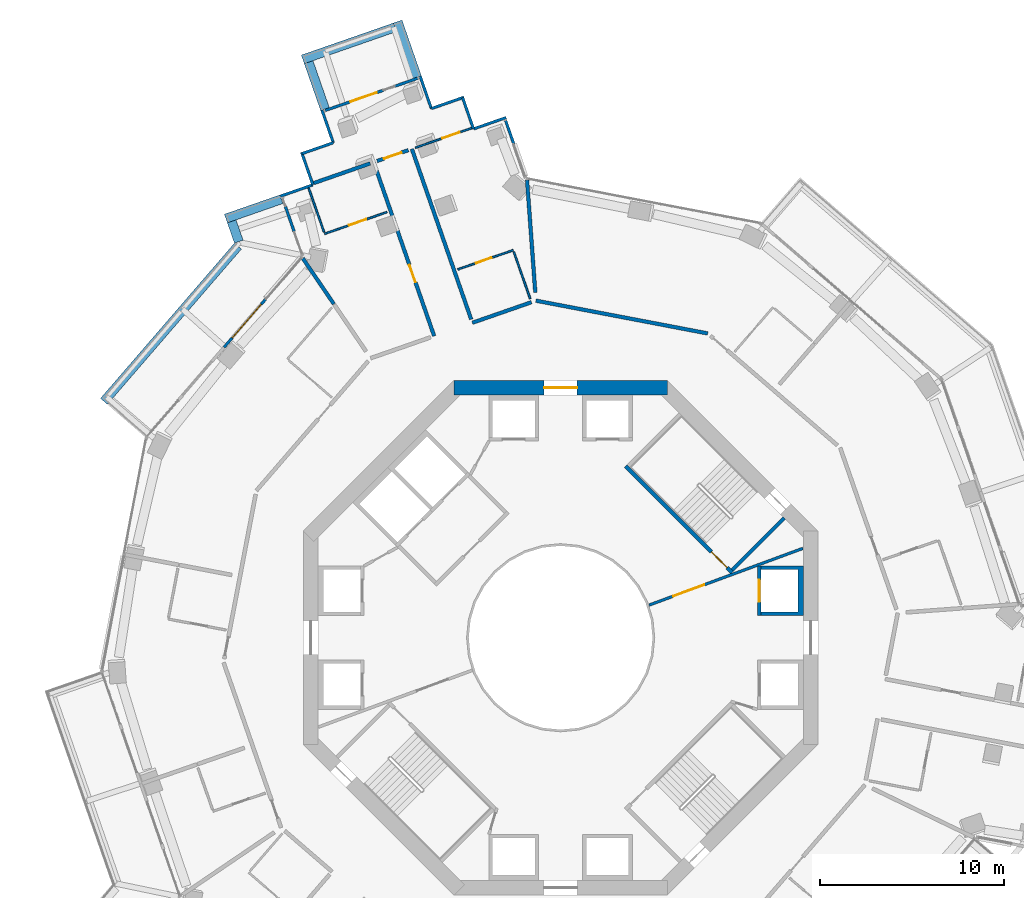
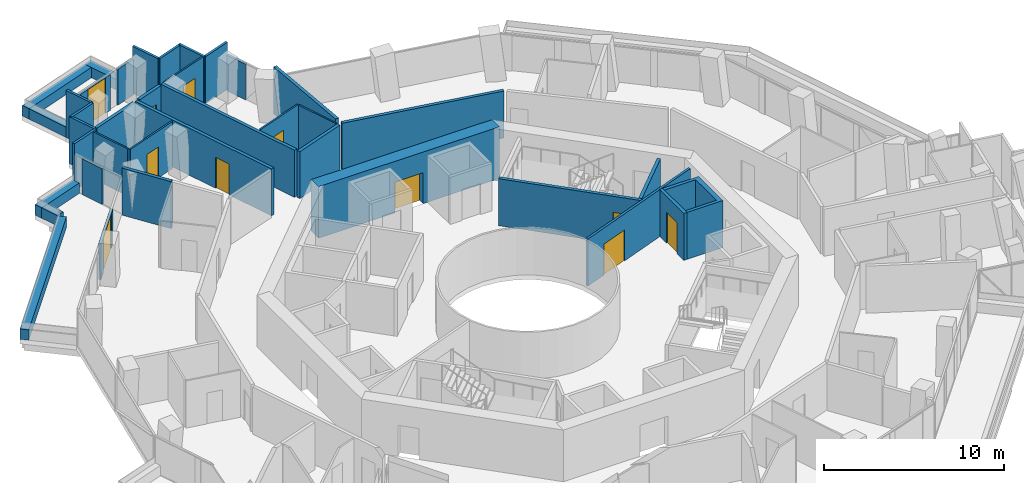
# One storey, part 19 of 23: 38 walls, 11 doors, 11 openings.
"""IFC4 building model written with IfcOpenShell, lengths in metres."""

from ifc_helpers import new_model, si_unit, direction, frame, frame_2d, origin, place, context, subcontext, project, spatial, polyline, rectangle, outline, extrude, material, layer, layer_set, type_object, element, fill, save


model = new_model("IFC4")

# Units and contexts
model_context = context("Model", 3, precision=1e-05, world=origin(), true_north=direction((0.0, 1.0)))
body_context = subcontext(model_context, "Body", "Model", "MODEL_VIEW")
ifc_project = project(units=[si_unit("LENGTHUNIT", "METRE"), si_unit("AREAUNIT", "SQUARE_METRE"), si_unit("VOLUMEUNIT", "CUBIC_METRE"), si_unit("PLANEANGLEUNIT", "RADIAN"), si_unit("MASSUNIT", "GRAM", prefix="KILO")], contexts=[model_context])

# Site, building, storey
site_placement = place(None, origin())
site = spatial("IfcSite", under=ifc_project, at=site_placement, CompositionType="ELEMENT")
building_placement = place(site_placement, origin())
building = spatial("IfcBuilding", under=site, at=building_placement, Name="Verdalira Terraces Hotel", CompositionType="ELEMENT")
storey_placement = place(building_placement, frame((0.0, 0.0, 111.5)))
storey = spatial("IfcBuildingStorey", under=building, at=storey_placement, Name="L26", CompositionType="ELEMENT", Elevation=111.5)

# Walls
ifc_material_1 = material(Name="Concrete C40", Category="concrete")
ifc_layer_1 = layer(ifc_material_1, 0.5)
ifc_layer_set_1 = layer_set([ifc_layer_1], Name="Balcony planter trough with tree")
wall_type_1 = type_object("IfcWallType", Name="Balcony planter trough with tree", PredefinedType="SOLIDWALL", material=ifc_layer_set_1)
wall_1_placement = place(storey_placement, frame((-7.814697, 30.498779, 0.0), z_axis=(0.0, 0.0, 1.0), x_axis=(-0.328861017, 0.944378331, 0.0)))
element("IfcWall", 1, at=wall_1_placement, inside=storey, type_object=wall_type_1, Name="Balcony planter", PredefinedType="SOLIDWALL", context=body_context, shape_type="SweptSolid", body=[
    extrude(rectangle(XDim=3.198975, YDim=0.5, at=frame_2d((1.599609, 0.0))), origin(), (0.0, 0.0, 1.0), 0.699951),
])
wall_2_placement = place(storey_placement, frame((-9.020508, 33.201416, 0.0), z_axis=(0.0, 0.0, 1.0), x_axis=(-0.944384264, -0.328843979, 0.0)))
element("IfcWall", 2, at=wall_2_placement, inside=storey, type_object=wall_type_1, Name="Balcony planter", PredefinedType="SOLIDWALL", context=body_context, shape_type="SweptSolid", body=[
    extrude(rectangle(XDim=5.300049, YDim=0.5, at=frame_2d((2.649902, 0.0))), origin(), (0.0, 0.0, 1.0), 0.699951),
])
wall_3_placement = place(storey_placement, frame((-13.70752, 31.304688, 0.0), z_axis=(0.0, 0.0, 1.0), x_axis=(0.328899509, -0.944364926, 0.0)))
element("IfcWall", 3, at=wall_3_placement, inside=storey, type_object=wall_type_1, Name="Balcony planter", PredefinedType="SOLIDWALL", context=body_context, shape_type="SweptSolid", body=[
    extrude(rectangle(XDim=2.698975, YDim=0.5, at=frame_2d((1.349609, 0.0))), origin(), (0.0, 0.0, 1.0), 0.699951),
])
wall_4_placement = place(storey_placement, frame((-15.190186, 23.852539, 0.0), z_axis=(0.0, 0.0, 1.0), x_axis=(-0.944378331, -0.328861017, 0.0)))
element("IfcWall", 4, at=wall_4_placement, inside=storey, type_object=wall_type_1, Name="Balcony planter", PredefinedType="SOLIDWALL", context=body_context, shape_type="SweptSolid", body=[
    extrude(rectangle(XDim=3.198975, YDim=0.5, at=frame_2d((1.599609, 0.0))), origin(), (0.0, 0.0, 1.0), 0.699951),
])
wall_5_placement = place(storey_placement, frame((-17.893066, 22.646484, 0.0), z_axis=(0.0, 0.0, 1.0), x_axis=(0.328894355, -0.944366721, 0.0)))
element("IfcWall", 5, at=wall_5_placement, inside=storey, type_object=wall_type_1, Name="Balcony planter", PredefinedType="SOLIDWALL", context=body_context, shape_type="SweptSolid", body=[
    extrude(rectangle(XDim=1.165527, YDim=0.5, at=frame_2d((0.582764, 0.0))), origin(), (0.0, 0.0, 1.0), 0.699951),
])
wall_6_placement = place(storey_placement, frame((-17.556641, 21.300293, 0.0), z_axis=(0.0, 0.0, 1.0), x_axis=(-0.653412383, -0.757002151, 0.0)))
element("IfcWall", 6, at=wall_6_placement, inside=storey, type_object=wall_type_1, Name="Balcony planter", PredefinedType="SOLIDWALL", context=body_context, shape_type="SweptSolid", body=[
    extrude(rectangle(XDim=11.152344, YDim=0.5, at=frame_2d((5.576172, 0.0))), origin(), (0.0, 0.0, 1.0), 0.699951),
])
ifc_material_2 = material(Name="Moisture-resistant gypsum board partition")
ifc_layer_2 = layer(ifc_material_2, 0.10009765625)
ifc_layer_set_2 = layer_set([ifc_layer_2], Name="Bathroom partition 100 mm")
wall_type_2 = type_object("IfcWallType", Name="Bathroom partition 100 mm", PredefinedType="PARTITIONING", material=ifc_layer_set_2)
wall_7_placement = place(storey_placement, frame((-12.872559, 22.065186, 0.0), z_axis=(0.0, 0.0, 1.0), x_axis=(-0.328865944, 0.944376615, 0.0)))
element("IfcWall", 7, at=wall_7_placement, inside=storey, type_object=wall_type_2, Name="Bathroom partition", PredefinedType="PARTITIONING", context=body_context, shape_type="SweptSolid", body=[
    extrude(rectangle(XDim=2.550049, YDim=0.100098, at=frame_2d((1.274902, 0.0))), origin(), (0.0, 0.0, 1.0), 3.189941),
])

# Wall, opening, door
wall_8_placement = place(storey_placement, frame((-12.8396, 21.970703, 0.0), z_axis=(0.0, 0.0, 1.0), x_axis=(0.944359478, 0.32891515, 0.0)))
wall_8 = element("IfcWall", 8, at=wall_8_placement, inside=storey, type_object=wall_type_2, Name="Bathroom partition", PredefinedType="PARTITIONING", context=body_context, shape_type="SweptSolid", body=[
    extrude(rectangle(XDim=3.599854, YDim=0.100098, at=frame_2d((1.799805, 0.0))), origin(), (0.0, 0.0, 1.0), 3.189941),
])
opening_1_placement = place(wall_8_placement, frame((1.399902, 0.0, 0.0)))
opening_1 = element("IfcOpeningElement", 9, at=opening_1_placement, cuts=wall_8, Name="Opening L26-105", PredefinedType="OPENING", context=body_context, shape_type="SweptSolid", body=[
    extrude(rectangle(XDim=1.0, YDim=2.100098, at=frame_2d((0.5, 1.050049))), frame((0.0, 0.060059, 0.0), z_axis=(0.0, -1.0, 0.0), x_axis=(1.0, 0.0, 0.0)), (0.0, 0.0, 1.0), 0.120117),
])
ifc_material_3 = material(Name="Timber door", Category="wood")
door_type_1 = type_object("IfcDoorType", Name="Bathroom door 1000 x 2100", OperationType="NOTDEFINED", PredefinedType="DOOR", material=ifc_material_3)
door_1_placement = place(opening_1_placement, origin())
door_1 = element("IfcDoor", 10, at=door_1_placement, inside=storey, type_object=door_type_1, Name="Bathroom door 2602", OperationType="SINGLE_SWING_LEFT", OverallHeight=2.10009765625, OverallWidth=1.0, PredefinedType="DOOR", context=body_context, shape_type="SweptSolid", body=[
    extrude(rectangle(XDim=1.0, YDim=2.100098, at=frame_2d((0.5, 1.050049))), frame((0.0, 0.024902, 0.0), z_axis=(0.0, -1.0, 0.0), x_axis=(1.0, 0.0, 0.0)), (0.0, 0.0, 1.0), 0.050049),
])
fill(opening_1, door_1)

wall_9_placement = place(storey_placement, frame((-4.834229, 27.723389, 0.0), z_axis=(0.0, 0.0, 1.0), x_axis=(-0.944395475, -0.328811779, 0.0)))
wall_9 = element("IfcWall", 11, at=wall_9_placement, inside=storey, type_object=wall_type_2, Name="Bathroom partition", PredefinedType="PARTITIONING", context=body_context, shape_type="SweptSolid", body=[
    extrude(rectangle(XDim=3.252197, YDim=0.100098, at=frame_2d((1.625977, 0.0))), origin(), (0.0, 0.0, 1.0), 3.189941),
])
opening_2_placement = place(wall_9_placement, frame((0.699951, 0.0, 0.0)))
opening_2 = element("IfcOpeningElement", 12, at=opening_2_placement, cuts=wall_9, Name="Opening L26-102", PredefinedType="OPENING", context=body_context, shape_type="SweptSolid", body=[
    extrude(rectangle(XDim=1.0, YDim=2.100098, at=frame_2d((0.5, 1.050049))), frame((0.0, 0.060059, 0.0), z_axis=(0.0, -1.0, 0.0), x_axis=(1.0, 0.0, 0.0)), (0.0, 0.0, 1.0), 0.120117),
])
ifc_material_4 = material(Name="Timber door", Category="wood")
door_type_2 = type_object("IfcDoorType", Name="Suite internal door 1000 x 2100", OperationType="NOTDEFINED", PredefinedType="DOOR", material=ifc_material_4)
door_2_placement = place(opening_2_placement, origin())
door_2 = element("IfcDoor", 13, at=door_2_placement, inside=storey, type_object=door_type_2, Name="Suite internal door 2601", OperationType="SINGLE_SWING_LEFT", OverallHeight=2.10009765625, OverallWidth=1.0, PredefinedType="DOOR", context=body_context, shape_type="SweptSolid", body=[
    extrude(rectangle(XDim=1.0, YDim=2.100098, at=frame_2d((0.5, 1.050049))), frame((0.0, 0.024902, 0.0), z_axis=(0.0, -1.0, 0.0), x_axis=(1.0, 0.0, 0.0)), (0.0, 0.0, 1.0), 0.050049),
])
fill(opening_2, door_2)

wall_10_placement = place(storey_placement, frame((-2.576904, 21.083496, 0.0), z_axis=(0.0, 0.0, 1.0), x_axis=(-0.94439589, -0.328810589, 0.0)))
wall_10 = element("IfcWall", 14, at=wall_10_placement, inside=storey, type_object=wall_type_2, Name="Bathroom partition", PredefinedType="PARTITIONING", context=body_context, shape_type="SweptSolid", body=[
    extrude(rectangle(XDim=3.200195, YDim=0.100098, at=frame_2d((1.600098, 0.0))), origin(), (0.0, 0.0, 1.0), 3.189941),
])
opening_3_placement = place(wall_10_placement, frame((1.25, 0.0, 0.0)))
opening_3 = element("IfcOpeningElement", 15, at=opening_3_placement, cuts=wall_10, Name="Opening L26-103", PredefinedType="OPENING", context=body_context, shape_type="SweptSolid", body=[
    extrude(rectangle(XDim=0.899902, YDim=2.100098, at=frame_2d((0.449951, 1.050049))), frame((0.0, 0.060059, 0.0), z_axis=(0.0, -1.0, 0.0), x_axis=(1.0, 0.0, 0.0)), (0.0, 0.0, 1.0), 0.120117),
])
ifc_material_5 = material(Name="Timber door", Category="wood")
door_type_3 = type_object("IfcDoorType", Name="Bathroom door 900 x 2100", OperationType="NOTDEFINED", PredefinedType="DOOR", material=ifc_material_5)
door_3_placement = place(opening_3_placement, origin())
door_3 = element("IfcDoor", 16, at=door_3_placement, inside=storey, type_object=door_type_3, Name="Bathroom door 2601", OperationType="SINGLE_SWING_LEFT", OverallHeight=2.10009765625, OverallWidth=0.89990234375, PredefinedType="DOOR", context=body_context, shape_type="SweptSolid", body=[
    extrude(rectangle(XDim=0.899902, YDim=2.100098, at=frame_2d((0.449951, 1.050049))), frame((0.0, 0.024902, 0.0), z_axis=(0.0, -1.0, 0.0), x_axis=(1.0, 0.0, 0.0)), (0.0, 0.0, 1.0), 0.050049),
])
fill(opening_3, door_3)

# Walls
wall_11_placement = place(storey_placement, frame((-1.65625, 18.439209, 0.0), z_axis=(0.0, 0.0, 1.0), x_axis=(-0.328867808, 0.944375966, 0.0)))
element("IfcWall", 17, at=wall_11_placement, inside=storey, type_object=wall_type_2, Name="Bathroom partition", PredefinedType="PARTITIONING", context=body_context, shape_type="SweptSolid", body=[
    extrude(rectangle(XDim=2.699951, YDim=0.100098, at=frame_2d((1.350098, 0.0))), origin(), (0.0, 0.0, 1.0), 3.189941),
])
ifc_material_6 = material(Name="Concrete C50", Category="concrete")
ifc_layer_3 = layer(ifc_material_6, 0.199951171875)
ifc_layer_set_3 = layer_set([ifc_layer_3], Name="Core RC wall 200 C50")
wall_type_3 = type_object("IfcWallType", Name="Core RC wall 200 C50", PredefinedType="SOLIDWALL", material=ifc_layer_set_3)
wall_12_placement = place(storey_placement, origin())
element("IfcWall", 18, at=wall_12_placement, inside=storey, type_object=wall_type_3, Name="L26 shaft wall E2", PredefinedType="SOLIDWALL", context=body_context, shape_type="SweptSolid", body=[
    extrude(outline(polyline([(13.199951, 3.899902), (13.199951, 1.199951), (10.899902, 1.199951), (10.899902, 1.399902), (12.899902, 1.399902), (12.899902, 3.699951), (10.899902, 3.699951), (10.899902, 3.899902), (13.199951, 3.899902)])), origin(), (0.0, 0.0, 1.0), 3.189941),
])

# Wall, opening, door
wall_13_placement = place(storey_placement, frame((10.800049, 1.199951, 0.0), z_axis=(0.0, 0.0, 1.0), x_axis=(0.0, 1.0, 0.0)))
wall_13 = element("IfcWall", 19, at=wall_13_placement, inside=storey, type_object=wall_type_3, Name="L26 shaft front wall E2", PredefinedType="SOLIDWALL", context=body_context, shape_type="SweptSolid", body=[
    extrude(rectangle(XDim=2.699951, YDim=0.199951, at=frame_2d((1.350098, 0.0))), origin(), (0.0, 0.0, 1.0), 3.189941),
])
opening_4_placement = place(wall_13_placement, frame((0.75, 0.0, 0.0)))
opening_4 = element("IfcOpeningElement", 20, at=opening_4_placement, cuts=wall_13, Name="Opening LD-L26-802", PredefinedType="OPENING", context=body_context, shape_type="SweptSolid", body=[
    extrude(rectangle(XDim=1.199951, YDim=2.100098, at=frame_2d((0.600098, 1.050049))), frame((0.0, 0.109863, 0.0), z_axis=(0.0, -1.0, 0.0), x_axis=(1.0, 0.0, 0.0)), (0.0, 0.0, 1.0), 0.219971),
])
ifc_material_7 = material(Name="Stainless steel", Category="steel")
door_type_4 = type_object("IfcDoorType", Name="Landing door 1200 x 2100", OperationType="NOTDEFINED", PredefinedType="DOOR", material=ifc_material_7)
door_4_placement = place(opening_4_placement, origin())
door_4 = element("IfcDoor", 21, at=door_4_placement, inside=storey, type_object=door_type_4, Name="Lift landing door LR2 L26", OperationType="DOUBLE_DOOR_SLIDING", OverallHeight=2.10009765625, OverallWidth=1.199951171875, PredefinedType="DOOR", context=body_context, shape_type="SweptSolid", body=[
    extrude(rectangle(XDim=1.199951, YDim=2.100098, at=frame_2d((0.600098, 1.050049))), frame((0.0, 0.024902, 0.0), z_axis=(0.0, -1.0, 0.0), x_axis=(1.0, 0.0, 0.0)), (0.0, 0.0, 1.0), 0.050049),
])
fill(opening_4, door_4)

wall_14_placement = place(storey_placement, frame((3.5354, 9.33374, 0.0), z_axis=(0.0, 0.0, 1.0), x_axis=(0.707106781, -0.707106781, 0.0)))
wall_14 = element("IfcWall", 22, at=wall_14_placement, inside=storey, type_object=wall_type_3, Name="L26 stair ST1 front wall", PredefinedType="SOLIDWALL", context=body_context, shape_type="SweptSolid", body=[
    extrude(rectangle(XDim=8.200195, YDim=0.199951, at=frame_2d((4.100098, 0.0))), origin(), (0.0, 0.0, 1.0), 3.189941),
])
opening_5_placement = place(wall_14_placement, frame((6.600098, 0.0, 0.0)))
opening_5 = element("IfcOpeningElement", 23, at=opening_5_placement, cuts=wall_14, Name="Opening L26-809", PredefinedType="OPENING", context=body_context, shape_type="SweptSolid", body=[
    extrude(rectangle(XDim=1.199951, YDim=2.100098, at=frame_2d((0.600098, 1.050049))), frame((0.0, 0.109863, 0.0), z_axis=(0.0, -1.0, 0.0), x_axis=(1.0, 0.0, 0.0)), (0.0, 0.0, 1.0), 0.219971),
])
ifc_material_8 = material(Name="Steel fire door", Category="steel")
door_type_5 = type_object("IfcDoorType", Name="Stair door 1200 x 2100", OperationType="NOTDEFINED", PredefinedType="DOOR", material=ifc_material_8)
door_5_placement = place(opening_5_placement, origin())
door_5 = element("IfcDoor", 24, at=door_5_placement, inside=storey, type_object=door_type_5, Name="Stair door ST1 L26", OperationType="SINGLE_SWING_RIGHT", OverallHeight=2.10009765625, OverallWidth=1.199951171875, PredefinedType="DOOR", context=body_context, shape_type="SweptSolid", body=[
    extrude(rectangle(XDim=1.199951, YDim=2.100098, at=frame_2d((0.600098, 1.050049))), frame((0.0, 0.024902, 0.0), z_axis=(0.0, -1.0, 0.0), x_axis=(1.0, 0.0, 0.0)), (0.0, 0.0, 1.0), 0.050049),
])
fill(opening_5, door_5)

# Wall
wall_15_placement = place(storey_placement, frame((9.33374, 3.677002, 0.0), z_axis=(0.0, 0.0, 1.0), x_axis=(0.707106781, 0.707106781, 0.0)))
element("IfcWall", 25, at=wall_15_placement, inside=storey, type_object=wall_type_3, Name="L26 stair ST1 end wall 1", PredefinedType="SOLIDWALL", context=body_context, shape_type="SweptSolid", body=[
    extrude(rectangle(XDim=4.0, YDim=0.199951, at=frame_2d((2.0, 0.0))), origin(), (0.0, 0.0, 1.0), 3.189941),
])

# Wall, opening, door
ifc_material_9 = material(Name="Gypsum board partition")
ifc_layer_4 = layer(ifc_material_9, 0.14990234375)
ifc_layer_set_4 = layer_set([ifc_layer_4], Name="Core partition 150 mm")
wall_type_4 = type_object("IfcWallType", Name="Core partition 150 mm", PredefinedType="PARTITIONING", material=ifc_layer_set_4)
wall_16_placement = place(storey_placement, frame((4.812988, 1.775635, 0.0), z_axis=(0.0, 0.0, 1.0), x_axis=(0.938191915, 0.346115488, 0.0)))
wall_16 = element("IfcWall", 26, at=wall_16_placement, inside=storey, type_object=wall_type_4, Name="Gallery fire partition L26", PredefinedType="PARTITIONING", context=body_context, shape_type="SweptSolid", body=[
    extrude(rectangle(XDim=8.909668, YDim=0.149902, at=frame_2d((4.454834, 0.0))), origin(), (0.0, 0.0, 1.0), 3.189941),
])
opening_6_placement = place(wall_16_placement, frame((1.399902, 0.0, 0.0)))
opening_6 = element("IfcOpeningElement", 27, at=opening_6_placement, cuts=wall_16, Name="Opening L26-824", PredefinedType="OPENING", context=body_context, shape_type="SweptSolid", body=[
    extrude(rectangle(XDim=1.800049, YDim=2.100098, at=frame_2d((0.899902, 1.050049))), frame((0.0, 0.084961, 0.0), z_axis=(0.0, -1.0, 0.0), x_axis=(1.0, 0.0, 0.0)), (0.0, 0.0, 1.0), 0.169922),
])
ifc_material_10 = material(Name="Steel fire door", Category="steel")
door_type_6 = type_object("IfcDoorType", Name="Gallery fire door pair 1800 x 2100", OperationType="NOTDEFINED", PredefinedType="DOOR", material=ifc_material_10)
door_6_placement = place(opening_6_placement, origin())
door_6 = element("IfcDoor", 28, at=door_6_placement, inside=storey, type_object=door_type_6, Name="Door L26 split0", OperationType="DOUBLE_DOOR_SINGLE_SWING", OverallHeight=2.10009765625, OverallWidth=1.800048828125, PredefinedType="DOOR", context=body_context, shape_type="SweptSolid", body=[
    extrude(rectangle(XDim=1.800049, YDim=2.100098, at=frame_2d((0.899902, 1.050049))), frame((0.0, 0.024902, 0.0), z_axis=(0.0, -1.0, 0.0), x_axis=(1.0, 0.0, 0.0)), (0.0, 0.0, 1.0), 0.050049),
])
fill(opening_6, door_6)

ifc_material_11 = material(Name="Concrete C70", Category="concrete")
ifc_layer_5 = layer(ifc_material_11, 0.800048828125)
ifc_layer_set_5 = layer_set([ifc_layer_5], Name="Core wall 800 C70")
wall_type_5 = type_object("IfcWallType", Name="Core wall 800 C70", PredefinedType="SHEAR", material=ifc_layer_set_5)
wall_17_placement = place(storey_placement, frame((5.799072, 13.600098, 0.0), z_axis=(0.0, 0.0, 1.0), x_axis=(-1.0, 0.0, 0.0)))
wall_17 = element("IfcWall", 29, at=wall_17_placement, inside=storey, type_object=wall_type_5, Name="Core wall CW-L26-3", PredefinedType="SHEAR", context=body_context, shape_type="SweptSolid", body=[
    extrude(rectangle(XDim=11.598145, YDim=0.800049, at=frame_2d((5.799072, 0.0))), origin(), (0.0, 0.0, 1.0), 3.5),
])
opening_7_placement = place(wall_17_placement, frame((4.898926, 0.0, 0.0)))
opening_7 = element("IfcOpeningElement", 30, at=opening_7_placement, cuts=wall_17, Name="Opening L26-813", PredefinedType="OPENING", context=body_context, shape_type="SweptSolid", body=[
    extrude(rectangle(XDim=1.800049, YDim=2.100098, at=frame_2d((0.899902, 1.050049))), frame((0.0, 0.409912, 0.0), z_axis=(0.0, -1.0, 0.0), x_axis=(1.0, 0.0, 0.0)), (0.0, 0.0, 1.0), 0.820068),
])
ifc_material_12 = material(Name="Steel fire door", Category="steel")
door_type_7 = type_object("IfcDoorType", Name="Core entry door pair 1800 x 2100", OperationType="NOTDEFINED", PredefinedType="DOOR", material=ifc_material_12)
door_7_placement = place(opening_7_placement, origin())
door_7 = element("IfcDoor", 31, at=door_7_placement, inside=storey, type_object=door_type_7, Name="Core entry door L26 2", OperationType="DOUBLE_DOOR_SINGLE_SWING", OverallHeight=2.10009765625, OverallWidth=1.800048828125, PredefinedType="DOOR", context=body_context, shape_type="SweptSolid", body=[
    extrude(rectangle(XDim=1.800049, YDim=2.100098, at=frame_2d((0.899902, 1.050049))), frame((0.0, 0.024902, 0.0), z_axis=(0.0, -1.0, 0.0), x_axis=(1.0, 0.0, 0.0)), (0.0, 0.0, 1.0), 0.050049),
])
fill(opening_7, door_7)

# Walls
ifc_material_13 = material(Name="Fire-rated gypsum board wall")
ifc_layer_6 = layer(ifc_material_13, 0.199951171875)
ifc_layer_set_6 = layer_set([ifc_layer_6], Name="Demising wall 200 mm")
wall_type_6 = type_object("IfcWallType", Name="Demising wall 200 mm", PredefinedType="SOLIDWALL", material=ifc_layer_set_6)
wall_18_placement = place(storey_placement, frame((-12.339111, 18.156494, 0.0), z_axis=(0.0, 0.0, 1.0), x_axis=(-0.562123746, 0.827053138, 0.0)))
element("IfcWall", 32, at=wall_18_placement, inside=storey, type_object=wall_type_6, Name="Demising wall", PredefinedType="SOLIDWALL", context=body_context, shape_type="SweptSolid", body=[
    extrude(rectangle(XDim=3.011475, YDim=0.199951, at=frame_2d((1.505859, 0.0))), origin(), (0.0, 0.0, 1.0), 3.189941),
])
wall_19_placement = place(storey_placement, frame((-10.358887, 25.799805, 0.0), z_axis=(0.0, 0.0, 1.0), x_axis=(-0.944364041, -0.328902048, 0.0)))
element("IfcWall", 33, at=wall_19_placement, inside=storey, type_object=wall_type_6, Name="Demising wall", PredefinedType="SOLIDWALL", context=body_context, shape_type="SweptSolid", body=[
    extrude(rectangle(XDim=3.251953, YDim=0.199951, at=frame_2d((1.625977, 0.0))), origin(), (0.0, 0.0, 1.0), 3.189941),
])
wall_20_placement = place(storey_placement, frame((-1.828369, 24.896973, 0.0), z_axis=(0.0, 0.0, 1.0), x_axis=(0.073258648, -0.997312975, 0.0)))
element("IfcWall", 34, at=wall_20_placement, inside=storey, type_object=wall_type_6, Name="Demising wall", PredefinedType="SOLIDWALL", context=body_context, shape_type="SweptSolid", body=[
    extrude(rectangle(XDim=6.131836, YDim=0.199951, at=frame_2d((3.065918, 0.0))), origin(), (0.0, 0.0, 1.0), 3.189941),
])

# Wall, opening, door
ifc_material_14 = material(Name="Fire-rated gypsum board wall")
ifc_layer_7 = layer(ifc_material_14, 0.199951171875)
ifc_layer_set_7 = layer_set([ifc_layer_7], Name="Guest corridor wall 200 mm")
wall_type_7 = type_object("IfcWallType", Name="Guest corridor wall 200 mm", PredefinedType="SOLIDWALL", material=ifc_layer_set_7)
wall_21_placement = place(storey_placement, frame((-9.984863, 25.929932, 0.0), z_axis=(0.0, 0.0, 1.0), x_axis=(0.944385241, 0.328841173, 0.0)))
wall_21 = element("IfcWall", 35, at=wall_21_placement, inside=storey, type_object=wall_type_7, Name="Guest corridor wall", PredefinedType="SOLIDWALL", context=body_context, shape_type="SweptSolid", body=[
    extrude(rectangle(XDim=1.801758, YDim=0.199951, at=frame_2d((0.900879, 0.0))), origin(), (0.0, 0.0, 1.0), 3.189941),
])
opening_8_placement = place(wall_21_placement, frame((0.399902, 0.0, 0.0)))
opening_8 = element("IfcOpeningElement", 36, at=opening_8_placement, cuts=wall_21, Name="Opening L26-101", PredefinedType="OPENING", context=body_context, shape_type="SweptSolid", body=[
    extrude(rectangle(XDim=1.0, YDim=2.100098, at=frame_2d((0.5, 1.050049))), frame((0.0, 0.109863, 0.0), z_axis=(0.0, -1.0, 0.0), x_axis=(1.0, 0.0, 0.0)), (0.0, 0.0, 1.0), 0.219971),
])
ifc_material_15 = material(Name="Timber fire door", Category="wood")
door_type_8 = type_object("IfcDoorType", Name="Guest entry door 1000 x 2100", OperationType="NOTDEFINED", PredefinedType="DOOR", material=ifc_material_15)
door_8_placement = place(opening_8_placement, origin())
door_8 = element("IfcDoor", 37, at=door_8_placement, inside=storey, type_object=door_type_8, Name="Guest entry door 2601", OperationType="SINGLE_SWING_LEFT", OverallHeight=2.10009765625, OverallWidth=1.0, PredefinedType="DOOR", context=body_context, shape_type="SweptSolid", body=[
    extrude(rectangle(XDim=1.0, YDim=2.100098, at=frame_2d((0.5, 1.050049))), frame((0.0, 0.024902, 0.0), z_axis=(0.0, -1.0, 0.0), x_axis=(1.0, 0.0, 0.0)), (0.0, 0.0, 1.0), 0.050049),
])
fill(opening_8, door_8)

wall_22_placement = place(storey_placement, frame((-6.878906, 16.408691, 0.0), z_axis=(0.0, 0.0, 1.0), x_axis=(-0.328868616, 0.944375684, 0.0)))
wall_22 = element("IfcWall", 38, at=wall_22_placement, inside=storey, type_object=wall_type_7, Name="Guest corridor wall", PredefinedType="SOLIDWALL", context=body_context, shape_type="SweptSolid", body=[
    extrude(rectangle(XDim=10.012939, YDim=0.199951, at=frame_2d((5.006348, 0.0))), origin(), (0.0, 0.0, 1.0), 3.189941),
])
opening_9_placement = place(wall_22_placement, frame((3.100098, 0.0, 0.0)))
opening_9 = element("IfcOpeningElement", 39, at=opening_9_placement, cuts=wall_22, Name="Opening L26-104", PredefinedType="OPENING", context=body_context, shape_type="SweptSolid", body=[
    extrude(rectangle(XDim=1.0, YDim=2.100098, at=frame_2d((0.5, 1.050049))), frame((0.0, 0.109863, 0.0), z_axis=(0.0, -1.0, 0.0), x_axis=(1.0, 0.0, 0.0)), (0.0, 0.0, 1.0), 0.219971),
])
door_9_placement = place(opening_9_placement, origin())
door_9 = element("IfcDoor", 40, at=door_9_placement, inside=storey, type_object=door_type_8, Name="Guest entry door 2602", OperationType="SINGLE_SWING_LEFT", OverallHeight=2.10009765625, OverallWidth=1.0, PredefinedType="DOOR", context=body_context, shape_type="SweptSolid", body=[
    extrude(rectangle(XDim=1.0, YDim=2.100098, at=frame_2d((0.5, 1.050049))), frame((0.0, 0.024902, 0.0), z_axis=(0.0, -1.0, 0.0), x_axis=(1.0, 0.0, 0.0)), (0.0, 0.0, 1.0), 0.050049),
])
fill(opening_9, door_9)

# Walls
wall_23_placement = place(storey_placement, frame((-4.867188, 17.321289, 0.0), z_axis=(0.0, 0.0, 1.0), x_axis=(-0.328858345, 0.944379261, 0.0)))
element("IfcWall", 41, at=wall_23_placement, inside=storey, type_object=wall_type_7, Name="Guest corridor wall", PredefinedType="SOLIDWALL", context=body_context, shape_type="SweptSolid", body=[
    extrude(rectangle(XDim=9.812988, YDim=0.199951, at=frame_2d((4.906494, 0.0))), origin(), (0.0, 0.0, 1.0), 3.189941),
])
wall_24_placement = place(storey_placement, frame((-1.590332, 18.250488, 0.0), z_axis=(0.0, 0.0, 1.0), x_axis=(-0.944376615, -0.328865944, 0.0)))
element("IfcWall", 42, at=wall_24_placement, inside=storey, type_object=wall_type_7, Name="Guest corridor wall", PredefinedType="SOLIDWALL", context=body_context, shape_type="SweptSolid", body=[
    extrude(rectangle(XDim=3.400146, YDim=0.199951, at=frame_2d((1.700195, 0.0))), origin(), (0.0, 0.0, 1.0), 3.189941),
])
wall_25_placement = place(storey_placement, frame((8.001221, 16.552246, 0.0), z_axis=(0.0, 0.0, 1.0), x_axis=(-0.982286432, 0.187385606, 0.0)))
element("IfcWall", 43, at=wall_25_placement, inside=storey, type_object=wall_type_7, Name="Guest corridor wall", PredefinedType="SOLIDWALL", context=body_context, shape_type="SweptSolid", body=[
    extrude(rectangle(XDim=9.516113, YDim=0.199951, at=frame_2d((4.758057, 0.0))), origin(), (0.0, 0.0, 1.0), 3.189941),
])
ifc_material_16 = material(Name="Terracotta cladding", Category="masonry")
ifc_layer_8 = layer(ifc_material_16, 0.14990234375)
ifc_layer_set_8 = layer_set([ifc_layer_8], Name="Terracotta clad wall 150")
wall_type_8 = type_object("IfcWallType", Name="Terracotta clad wall 150", PredefinedType="SOLIDWALL", material=ifc_layer_set_8)
wall_26_placement = place(storey_placement, frame((-2.969971, 28.293457, 0.0), z_axis=(0.0, 0.0, 1.0), x_axis=(-0.944366739, -0.328894303, 0.0)))
element("IfcWall", 44, at=wall_26_placement, inside=storey, type_object=wall_type_8, Name="Terracotta cladding wall", PredefinedType="SOLIDWALL", context=body_context, shape_type="SweptSolid", body=[
    extrude(rectangle(XDim=1.875, YDim=0.149902, at=frame_2d((0.9375, 0.0))), origin(), (0.0, 0.0, 1.0), 3.189941),
])
wall_27_placement = place(storey_placement, frame((-4.740723, 27.676758, 0.0), z_axis=(0.0, 0.0, 1.0), x_axis=(-0.328773123, 0.944408933, 0.0)))
element("IfcWall", 45, at=wall_27_placement, inside=storey, type_object=wall_type_8, Name="Terracotta cladding wall", PredefinedType="SOLIDWALL", context=body_context, shape_type="SweptSolid", body=[
    extrude(rectangle(XDim=1.800049, YDim=0.149902, at=frame_2d((0.899902, 0.0))), origin(), (0.0, 0.0, 1.0), 3.189941),
])
for number, where, z_axis, x_axis, name in (
    (46, (-5.261719, 29.401367, 0.0), (0.0, 0.0, 1.0), (-0.944366739, -0.328894303, 0.0), "Terracotta cladding wall"),
    (47, (-7.032471, 28.784668, 0.0), (0.0, 0.0, 1.0), (-0.328894303, 0.944366739, 0.0), "Terracotta cladding wall"),
    (48, (-12.984863, 28.697266, 0.0), (0.0, 0.0, 1.0), (0.328894303, -0.944366739, 0.0), "Terracotta cladding wall"),
):
    element("IfcWall", number, at=place(storey_placement, frame(where, z_axis=z_axis, x_axis=x_axis)), inside=storey, type_object=wall_type_8, Name=name, PredefinedType="SOLIDWALL", context=body_context, shape_type="SweptSolid", body=[
        extrude(rectangle(XDim=1.875, YDim=0.149902, at=frame_2d((0.9375, 0.0))), origin(), (0.0, 0.0, 1.0), 3.189941),
    ])
wall_28_placement = place(storey_placement, frame((-12.368164, 26.926514, 0.0), z_axis=(0.0, 0.0, 1.0), x_axis=(-0.944366814, -0.328894087, 0.0)))
element("IfcWall", 49, at=wall_28_placement, inside=storey, type_object=wall_type_8, Name="Terracotta cladding wall", PredefinedType="SOLIDWALL", context=body_context, shape_type="SweptSolid", body=[
    extrude(rectangle(XDim=1.800049, YDim=0.149902, at=frame_2d((0.899902, 0.0))), origin(), (0.0, 0.0, 1.0), 3.189941),
])
for number, where, z_axis, x_axis, name in (
    (50, (-14.092773, 26.405518, 0.0), (0.0, 0.0, 1.0), (0.328894303, -0.944366739, 0.0), "Terracotta cladding wall"),
    (51, (-13.476074, 24.634766, 0.0), (0.0, 0.0, 1.0), (-0.944366739, -0.328894303, 0.0), "Terracotta cladding wall"),
):
    element("IfcWall", number, at=place(storey_placement, frame(where, z_axis=z_axis, x_axis=x_axis)), inside=storey, type_object=wall_type_8, Name=name, PredefinedType="SOLIDWALL", context=body_context, shape_type="SweptSolid", body=[
        extrude(rectangle(XDim=1.875, YDim=0.149902, at=frame_2d((0.9375, 0.0))), origin(), (0.0, 0.0, 1.0), 3.189941),
    ])
ifc_material_17 = material(Name="Terracotta cladding", Category="masonry")
ifc_layer_9 = layer(ifc_material_17, 0.14990234375)
ifc_layer_set_9 = layer_set([ifc_layer_9], Name="Terracotta column pier 150")
wall_type_9 = type_object("IfcWallType", Name="Terracotta column pier 150", PredefinedType="SOLIDWALL", material=ifc_layer_set_9)
wall_29_placement = place(storey_placement, frame((-2.545898, 26.8479, 0.0), z_axis=(0.0, 0.0, 1.0), x_axis=(-0.328966326, 0.944341652, 0.0)))
element("IfcWall", 52, at=wall_29_placement, inside=storey, type_object=wall_type_9, Name="Terracotta column pier", PredefinedType="SOLIDWALL", context=body_context, shape_type="SweptSolid", body=[
    extrude(rectangle(XDim=1.359619, YDim=0.149902, at=frame_2d((0.679688, 0.0))), origin(), (0.0, 0.0, 1.0), 2.425049),
])
wall_30_placement = place(storey_placement, frame((-7.770752, 30.433594, 0.0), z_axis=(0.0, 0.0, 1.0), x_axis=(-0.944380444, -0.32885495, 0.0)))
element("IfcWall", 53, at=wall_30_placement, inside=storey, type_object=wall_type_9, Name="Terracotta column pier", PredefinedType="SOLIDWALL", context=body_context, shape_type="SweptSolid", body=[
    extrude(rectangle(XDim=1.331055, YDim=0.149902, at=frame_2d((0.665527, 0.0))), origin(), (0.0, 0.0, 1.0), 2.425049),
])
wall_31_placement = place(storey_placement, frame((-14.977051, 23.471436, 0.0), z_axis=(0.0, 0.0, 1.0), x_axis=(0.328882879, -0.944370718, 0.0)))
element("IfcWall", 54, at=wall_31_placement, inside=storey, type_object=wall_type_9, Name="Terracotta column pier", PredefinedType="SOLIDWALL", context=body_context, shape_type="SweptSolid", body=[
    extrude(rectangle(XDim=1.489746, YDim=0.149902, at=frame_2d((0.744873, 0.0))), origin(), (0.0, 0.0, 1.0), 2.425049),
])

# Wall, opening, door
ifc_material_18 = material(Name="Terracotta cladding", Category="masonry")
ifc_layer_10 = layer(ifc_material_18, 0.14990234375)
ifc_layer_set_10 = layer_set([ifc_layer_10], Name="Terracotta door pier 150")
wall_type_10 = type_object("IfcWallType", Name="Terracotta door pier 150", PredefinedType="SOLIDWALL", material=ifc_layer_set_10)
wall_32_placement = place(storey_placement, frame((-9.631348, 29.785645, 0.0), z_axis=(0.0, 0.0, 1.0), x_axis=(-0.944382384, -0.328849378, 0.0)))
wall_32 = element("IfcWall", 55, at=wall_32_placement, inside=storey, type_object=wall_type_10, Name="Terracotta door pier", PredefinedType="SOLIDWALL", context=body_context, shape_type="SweptSolid", body=[
    extrude(rectangle(XDim=3.369873, YDim=0.149902, at=frame_2d((1.685059, 0.0))), origin(), (0.0, 0.0, 1.0), 2.425049),
])
opening_10_placement = place(wall_32_placement, frame((0.399902, 0.0, 0.0)))
opening_10 = element("IfcOpeningElement", 56, at=opening_10_placement, cuts=wall_32, Name="Opening L26-B01", PredefinedType="OPENING", context=body_context, shape_type="SweptSolid", body=[
    extrude(rectangle(XDim=1.5, YDim=2.399902, at=frame_2d((0.75, 1.199951))), frame((0.0, 0.084961, 0.0), z_axis=(0.0, -1.0, 0.0), x_axis=(1.0, 0.0, 0.0)), (0.0, 0.0, 1.0), 0.169922),
])
ifc_material_19 = material(Name="Clear glass", Category="glass")
door_type_9 = type_object("IfcDoorType", Name="Balcony sliding door 1500x2400", OperationType="NOTDEFINED", PredefinedType="DOOR", material=ifc_material_19)
door_10_placement = place(opening_10_placement, origin())
door_10 = element("IfcDoor", 57, at=door_10_placement, inside=storey, type_object=door_type_9, Name="Balcony sliding door", OperationType="SLIDING_TO_RIGHT", OverallHeight=2.39990234375, OverallWidth=1.5, PredefinedType="DOOR", context=body_context, shape_type="SweptSolid", body=[
    extrude(rectangle(XDim=1.5, YDim=2.399902, at=frame_2d((0.75, 1.199951))), frame((0.0, 0.024902, 0.0), z_axis=(0.0, -1.0, 0.0), x_axis=(1.0, 0.0, 0.0)), (0.0, 0.0, 1.0), 0.050049),
])
fill(opening_10, door_10)

wall_33_placement = place(storey_placement, frame((-16.036133, 18.432373, 0.0), z_axis=(0.0, 0.0, 1.0), x_axis=(-0.653425946, -0.756990445, 0.0)))
wall_33 = element("IfcWall", 58, at=wall_33_placement, inside=storey, type_object=wall_type_10, Name="Terracotta door pier", PredefinedType="SOLIDWALL", context=body_context, shape_type="SweptSolid", body=[
    extrude(rectangle(XDim=3.474854, YDim=0.149902, at=frame_2d((1.737305, 0.0))), origin(), (0.0, 0.0, 1.0), 2.425049),
])
opening_11_placement = place(wall_33_placement, frame((0.399902, 0.0, 0.0)))
opening_11 = element("IfcOpeningElement", 59, at=opening_11_placement, cuts=wall_33, Name="Opening L26-B02", PredefinedType="OPENING", context=body_context, shape_type="SweptSolid", body=[
    extrude(rectangle(XDim=2.399902, YDim=2.399902, at=frame_2d((1.199951, 1.199951))), frame((0.0, 0.084961, 0.0), z_axis=(0.0, -1.0, 0.0), x_axis=(1.0, 0.0, 0.0)), (0.0, 0.0, 1.0), 0.169922),
])
ifc_material_20 = material(Name="Clear glass", Category="glass")
door_type_10 = type_object("IfcDoorType", Name="Balcony sliding door 2400x2400", OperationType="NOTDEFINED", PredefinedType="DOOR", material=ifc_material_20)
door_11_placement = place(opening_11_placement, origin())
door_11 = element("IfcDoor", 60, at=door_11_placement, inside=storey, type_object=door_type_10, Name="Balcony sliding door", OperationType="SLIDING_TO_RIGHT", OverallHeight=2.39990234375, OverallWidth=2.39990234375, PredefinedType="DOOR", context=body_context, shape_type="SweptSolid", body=[
    extrude(rectangle(XDim=2.399902, YDim=2.399902, at=frame_2d((1.199951, 1.199951))), frame((0.0, 0.024902, 0.0), z_axis=(0.0, -1.0, 0.0), x_axis=(1.0, 0.0, 0.0)), (0.0, 0.0, 1.0), 0.050049),
])
fill(opening_11, door_11)

save(model, "model.ifc")
